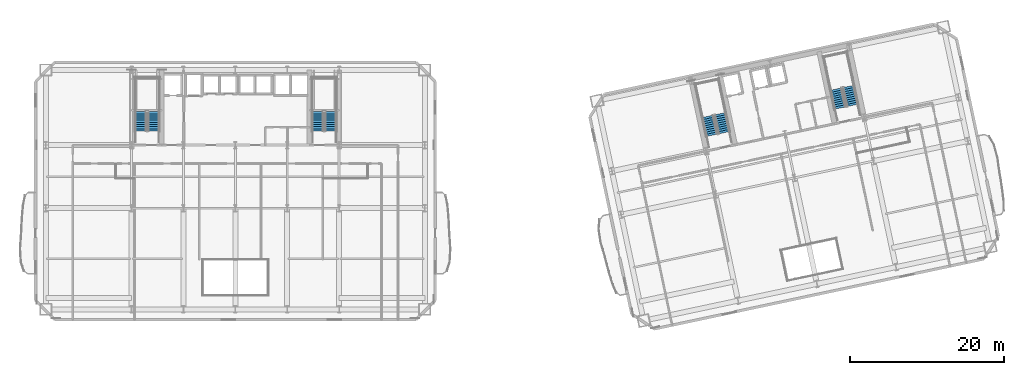
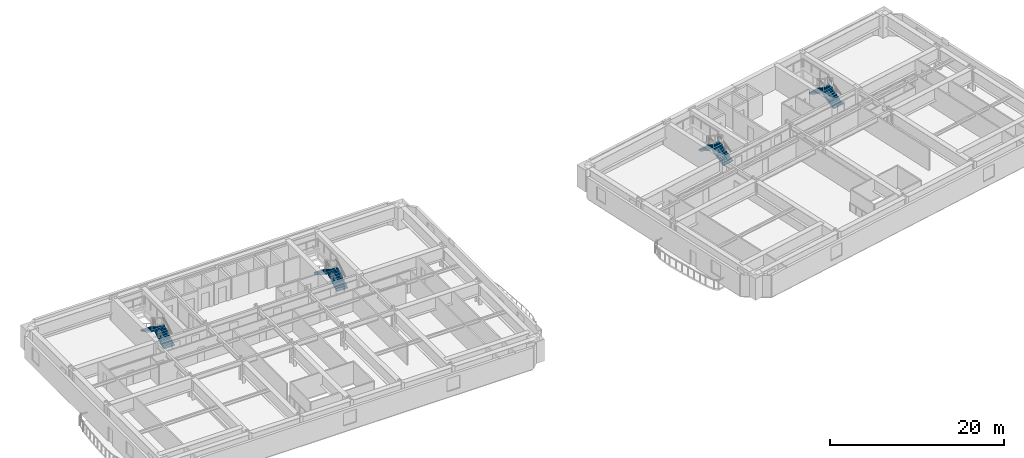
# One storey, part 11 of 18: 8 stair flights, 4 elements without a shape of their own.
"""IFC4 building model written with IfcOpenShell, lengths in metres."""

from ifc_helpers import new_model, si_unit, direction, frame, origin, place, context, subcontext, project, spatial, polyline, outline, extrude, material, type_object, element, aggregate, save


model = new_model("IFC4")

# Units and contexts
model_context = context("Model", 3, precision=1e-05, world=origin(), true_north=direction((0.0, 1.0)))
body_context = subcontext(model_context, "Body", "Model", "MODEL_VIEW")
ifc_project = project(units=[si_unit("LENGTHUNIT", "METRE"), si_unit("AREAUNIT", "SQUARE_METRE"), si_unit("VOLUMEUNIT", "CUBIC_METRE"), si_unit("PLANEANGLEUNIT", "RADIAN"), si_unit("MASSUNIT", "GRAM", prefix="KILO")], contexts=[model_context])

# Site, building, storey
site_placement = place(None, origin())
site = spatial("IfcSite", under=ifc_project, at=site_placement, CompositionType="ELEMENT")
building_placement = place(site_placement, origin())
building = spatial("IfcBuilding", under=site, at=building_placement, Name="Haevon Station Towers", CompositionType="ELEMENT")
storey_placement = place(building_placement, frame((0.0, 0.0, 66.89990234375)))
storey = spatial("IfcBuildingStorey", under=building, at=storey_placement, Name="L17", CompositionType="ELEMENT", Elevation=66.89990234375)

# Stair, stair flights
ifc_material = material(Name="Concrete C40/50", Category="concrete")
stair_type = type_object("IfcStairType", Name="STR-DL1450", PredefinedType="USERDEFINED", material=ifc_material)
stair_1_placement = place(storey_placement, origin())
stair_1 = element("IfcStair", 1, at=stair_1_placement, inside=storey, type_object=stair_type, Name="L17 Escape Stair ST1", ObjectType="TWO_RETURN_STAIR", PredefinedType="USERDEFINED")
stair_flight_type = type_object("IfcStairFlightType", Name="STF-ST1450", PredefinedType="STRAIGHT", material=ifc_material)
stair_flight_1_placement = place(storey_placement, frame((26.85498046875, 40.050048828125, 0.0), z_axis=(0.0, 0.0, 1.0), x_axis=(0.0, 1.0, 0.0)))
stair_flight_1 = element("IfcStairFlight", 2, at=stair_flight_1_placement, type_object=stair_flight_type, Name="L17 ST1 Flight 1", NumberOfRisers=10, NumberOfTreads=9, PredefinedType="STRAIGHT", RiserHeight=0.165, TreadLength=0.28, context=body_context, shape_type="SweptSolid", body=[
    extrude(outline(polyline([(0.0, 0.0), (0.0, 0.1650390625), (0.280029296875, 0.1650390625), (0.280029296875, 0.330078125), (0.56005859375, 0.330078125), (0.56005859375, 0.4951171875), (0.840087890625, 0.4951171875), (0.840087890625, 0.659912109375), (1.1201171875, 0.659912109375), (1.1201171875, 0.824951171875), (1.39990234375, 0.824951171875), (1.39990234375, 0.989990234375), (1.679931640625, 0.989990234375), (1.679931640625, 1.155029296875), (1.9599609375, 1.155029296875), (1.9599609375, 1.320068359375), (2.239990234375, 1.320068359375), (2.239990234375, 1.485107421875), (2.52001953125, 1.485107421875), (2.52001953125, 1.64990234375), (2.52001953125, 1.29931640625), (0.31494140625, 0.0), (0.0, 0.0)])), frame((0.0, 0.72509765625, 0.0), z_axis=(0.0, -1.0, 0.0), x_axis=(1.0, 0.0, 0.0)), (0.0, 0.0, 1.0), 1.449951171875),
])
stair_flight_2_placement = place(storey_placement, frame((25.205078125, 42.570068359375, 1.650146484375), z_axis=(0.0, 0.0, 1.0), x_axis=(0.0, -1.0, 0.0)))
stair_flight_2 = element("IfcStairFlight", 3, at=stair_flight_2_placement, type_object=stair_flight_type, Name="L17 ST1 Flight 2", NumberOfRisers=10, NumberOfTreads=9, PredefinedType="STRAIGHT", RiserHeight=0.165, TreadLength=0.28, context=body_context, shape_type="SweptSolid", body=[
    extrude(outline(polyline([(0.0, 0.0), (0.0, 0.1650390625), (0.280029296875, 0.1650390625), (0.280029296875, 0.330078125), (0.56005859375, 0.330078125), (0.56005859375, 0.4951171875), (0.840087890625, 0.4951171875), (0.840087890625, 0.659912109375), (1.1201171875, 0.659912109375), (1.1201171875, 0.824951171875), (1.39990234375, 0.824951171875), (1.39990234375, 0.989990234375), (1.679931640625, 0.989990234375), (1.679931640625, 1.155029296875), (1.9599609375, 1.155029296875), (1.9599609375, 1.320068359375), (2.239990234375, 1.320068359375), (2.239990234375, 1.485107421875), (2.52001953125, 1.485107421875), (2.52001953125, 1.64990234375), (2.52001953125, 1.29931640625), (0.31494140625, 0.0), (0.0, 0.0)])), frame((0.0, 0.72509765625, 0.0), z_axis=(0.0, -1.0, 0.0), x_axis=(1.0, 0.0, 0.0)), (0.0, 0.0, 1.0), 1.449951171875),
])
aggregate(stair_1, [stair_flight_1, stair_flight_2])

stair_2_placement = place(storey_placement, origin())
stair_2 = element("IfcStair", 4, at=stair_2_placement, inside=storey, type_object=stair_type, Name="L17 Escape Stair ST2", ObjectType="TWO_RETURN_STAIR", PredefinedType="USERDEFINED")
stair_flight_3_placement = place(storey_placement, frame((49.89501953125, 40.050048828125, 0.0), z_axis=(0.0, 0.0, 1.0), x_axis=(0.0, 1.0, 0.0)))
stair_flight_3 = element("IfcStairFlight", 5, at=stair_flight_3_placement, type_object=stair_flight_type, Name="L17 ST2 Flight 1", NumberOfRisers=10, NumberOfTreads=9, PredefinedType="STRAIGHT", RiserHeight=0.165, TreadLength=0.28, context=body_context, shape_type="SweptSolid", body=[
    extrude(outline(polyline([(0.0, 0.0), (0.0, 0.1650390625), (0.280029296875, 0.1650390625), (0.280029296875, 0.330078125), (0.56005859375, 0.330078125), (0.56005859375, 0.4951171875), (0.840087890625, 0.4951171875), (0.840087890625, 0.659912109375), (1.1201171875, 0.659912109375), (1.1201171875, 0.824951171875), (1.39990234375, 0.824951171875), (1.39990234375, 0.989990234375), (1.679931640625, 0.989990234375), (1.679931640625, 1.155029296875), (1.9599609375, 1.155029296875), (1.9599609375, 1.320068359375), (2.239990234375, 1.320068359375), (2.239990234375, 1.485107421875), (2.52001953125, 1.485107421875), (2.52001953125, 1.64990234375), (2.52001953125, 1.29931640625), (0.31494140625, 0.0), (0.0, 0.0)])), frame((0.0, 0.72509765625, 0.0), z_axis=(0.0, -1.0, 0.0), x_axis=(1.0, 0.0, 0.0)), (0.0, 0.0, 1.0), 1.449951171875),
])
stair_flight_4_placement = place(storey_placement, frame((48.2451171875, 42.570068359375, 1.650146484375), z_axis=(0.0, 0.0, 1.0), x_axis=(0.0, -1.0, 0.0)))
stair_flight_4 = element("IfcStairFlight", 6, at=stair_flight_4_placement, type_object=stair_flight_type, Name="L17 ST2 Flight 2", NumberOfRisers=10, NumberOfTreads=9, PredefinedType="STRAIGHT", RiserHeight=0.165, TreadLength=0.28, context=body_context, shape_type="SweptSolid", body=[
    extrude(outline(polyline([(0.0, 0.0), (0.0, 0.1650390625), (0.280029296875, 0.1650390625), (0.280029296875, 0.330078125), (0.56005859375, 0.330078125), (0.56005859375, 0.4951171875), (0.840087890625, 0.4951171875), (0.840087890625, 0.659912109375), (1.1201171875, 0.659912109375), (1.1201171875, 0.824951171875), (1.39990234375, 0.824951171875), (1.39990234375, 0.989990234375), (1.679931640625, 0.989990234375), (1.679931640625, 1.155029296875), (1.9599609375, 1.155029296875), (1.9599609375, 1.320068359375), (2.239990234375, 1.320068359375), (2.239990234375, 1.485107421875), (2.52001953125, 1.485107421875), (2.52001953125, 1.64990234375), (2.52001953125, 1.29931640625), (0.31494140625, 0.0), (0.0, 0.0)])), frame((0.0, 0.72509765625, 0.0), z_axis=(0.0, -1.0, 0.0), x_axis=(1.0, 0.0, 0.0)), (0.0, 0.0, 1.0), 1.449951171875),
])
aggregate(stair_2, [stair_flight_3, stair_flight_4])

stair_3_placement = place(storey_placement, origin())
stair_3 = element("IfcStair", 7, at=stair_3_placement, inside=storey, type_object=stair_type, Name="L17 Escape Stair ST3", ObjectType="TWO_RETURN_STAIR", PredefinedType="USERDEFINED")
stair_flight_5_placement = place(storey_placement, frame((101.1015625, 39.8330078125, 0.0), z_axis=(0.0, 0.0, 1.0), x_axis=(-0.207911690818, 0.978147600734, 0.0)))
stair_flight_5 = element("IfcStairFlight", 8, at=stair_flight_5_placement, type_object=stair_flight_type, Name="L17 ST3 Flight 1", NumberOfRisers=10, NumberOfTreads=9, PredefinedType="STRAIGHT", RiserHeight=0.165, TreadLength=0.28, context=body_context, shape_type="SweptSolid", body=[
    extrude(outline(polyline([(0.0, 0.0), (0.0, 0.1650390625), (0.280029296875, 0.1650390625), (0.280029296875, 0.330078125), (0.56005859375, 0.330078125), (0.56005859375, 0.4951171875), (0.840087890625, 0.4951171875), (0.840087890625, 0.659912109375), (1.1201171875, 0.659912109375), (1.1201171875, 0.824951171875), (1.39990234375, 0.824951171875), (1.39990234375, 0.989990234375), (1.679931640625, 0.989990234375), (1.679931640625, 1.155029296875), (1.9599609375, 1.155029296875), (1.9599609375, 1.320068359375), (2.239990234375, 1.320068359375), (2.239990234375, 1.485107421875), (2.52001953125, 1.485107421875), (2.52001953125, 1.64990234375), (2.52001953125, 1.29931640625), (0.31494140625, 0.0), (0.0, 0.0)])), frame((0.0, 0.72509765625, 0.0), z_axis=(0.0, -1.0, 0.0), x_axis=(1.0, 0.0, 0.0)), (0.0, 0.0, 1.0), 1.449951171875),
])
stair_flight_6_placement = place(storey_placement, frame((98.9638671875, 41.955078125, 1.650146484375), z_axis=(0.0, 0.0, 1.0), x_axis=(0.207911690818, -0.978147600734, 0.0)))
stair_flight_6 = element("IfcStairFlight", 9, at=stair_flight_6_placement, type_object=stair_flight_type, Name="L17 ST3 Flight 2", NumberOfRisers=10, NumberOfTreads=9, PredefinedType="STRAIGHT", RiserHeight=0.165, TreadLength=0.28, context=body_context, shape_type="SweptSolid", body=[
    extrude(outline(polyline([(0.0, 0.0), (0.0, 0.1650390625), (0.280029296875, 0.1650390625), (0.280029296875, 0.330078125), (0.56005859375, 0.330078125), (0.56005859375, 0.4951171875), (0.840087890625, 0.4951171875), (0.840087890625, 0.659912109375), (1.1201171875, 0.659912109375), (1.1201171875, 0.824951171875), (1.39990234375, 0.824951171875), (1.39990234375, 0.989990234375), (1.679931640625, 0.989990234375), (1.679931640625, 1.155029296875), (1.9599609375, 1.155029296875), (1.9599609375, 1.320068359375), (2.239990234375, 1.320068359375), (2.239990234375, 1.485107421875), (2.52001953125, 1.485107421875), (2.52001953125, 1.64990234375), (2.52001953125, 1.29931640625), (0.31494140625, 0.0), (0.0, 0.0)])), frame((0.0, 0.72509765625, 0.0), z_axis=(0.0, -1.0, 0.0), x_axis=(1.0, 0.0, 0.0)), (0.0, 0.0, 1.0), 1.449951171875),
])
aggregate(stair_3, [stair_flight_5, stair_flight_6])

stair_4_placement = place(storey_placement, origin())
stair_4 = element("IfcStair", 10, at=stair_4_placement, inside=storey, type_object=stair_type, Name="L17 Escape Stair ST4", ObjectType="TWO_RETURN_STAIR", PredefinedType="USERDEFINED")
stair_flight_7_placement = place(storey_placement, frame((117.788818359375, 43.380126953125, 0.0), z_axis=(0.0, 0.0, 1.0), x_axis=(-0.207911690818, 0.978147600734, 0.0)))
stair_flight_7 = element("IfcStairFlight", 11, at=stair_flight_7_placement, type_object=stair_flight_type, Name="L17 ST4 Flight 1", NumberOfRisers=10, NumberOfTreads=9, PredefinedType="STRAIGHT", RiserHeight=0.165, TreadLength=0.28, context=body_context, shape_type="SweptSolid", body=[
    extrude(outline(polyline([(0.0, 0.0), (0.0, 0.1650390625), (0.280029296875, 0.1650390625), (0.280029296875, 0.330078125), (0.56005859375, 0.330078125), (0.56005859375, 0.4951171875), (0.840087890625, 0.4951171875), (0.840087890625, 0.659912109375), (1.1201171875, 0.659912109375), (1.1201171875, 0.824951171875), (1.39990234375, 0.824951171875), (1.39990234375, 0.989990234375), (1.679931640625, 0.989990234375), (1.679931640625, 1.155029296875), (1.9599609375, 1.155029296875), (1.9599609375, 1.320068359375), (2.239990234375, 1.320068359375), (2.239990234375, 1.485107421875), (2.52001953125, 1.485107421875), (2.52001953125, 1.64990234375), (2.52001953125, 1.29931640625), (0.31494140625, 0.0), (0.0, 0.0)])), frame((0.0, 0.72509765625, 0.0), z_axis=(0.0, -1.0, 0.0), x_axis=(1.0, 0.0, 0.0)), (0.0, 0.0, 1.0), 1.449951171875),
])
stair_flight_8_placement = place(storey_placement, frame((115.65087890625, 45.501953125, 1.650146484375), z_axis=(0.0, 0.0, 1.0), x_axis=(0.207911690818, -0.978147600734, 0.0)))
stair_flight_8 = element("IfcStairFlight", 12, at=stair_flight_8_placement, type_object=stair_flight_type, Name="L17 ST4 Flight 2", NumberOfRisers=10, NumberOfTreads=9, PredefinedType="STRAIGHT", RiserHeight=0.165, TreadLength=0.28, context=body_context, shape_type="SweptSolid", body=[
    extrude(outline(polyline([(0.0, 0.0), (0.0, 0.1650390625), (0.280029296875, 0.1650390625), (0.280029296875, 0.330078125), (0.56005859375, 0.330078125), (0.56005859375, 0.4951171875), (0.840087890625, 0.4951171875), (0.840087890625, 0.659912109375), (1.1201171875, 0.659912109375), (1.1201171875, 0.824951171875), (1.39990234375, 0.824951171875), (1.39990234375, 0.989990234375), (1.679931640625, 0.989990234375), (1.679931640625, 1.155029296875), (1.9599609375, 1.155029296875), (1.9599609375, 1.320068359375), (2.239990234375, 1.320068359375), (2.239990234375, 1.485107421875), (2.52001953125, 1.485107421875), (2.52001953125, 1.64990234375), (2.52001953125, 1.29931640625), (0.31494140625, 0.0), (0.0, 0.0)])), frame((0.0, 0.72509765625, 0.0), z_axis=(0.0, -1.0, 0.0), x_axis=(1.0, 0.0, 0.0)), (0.0, 0.0, 1.0), 1.449951171875),
])
aggregate(stair_4, [stair_flight_7, stair_flight_8])

save(model, "model.ifc")
